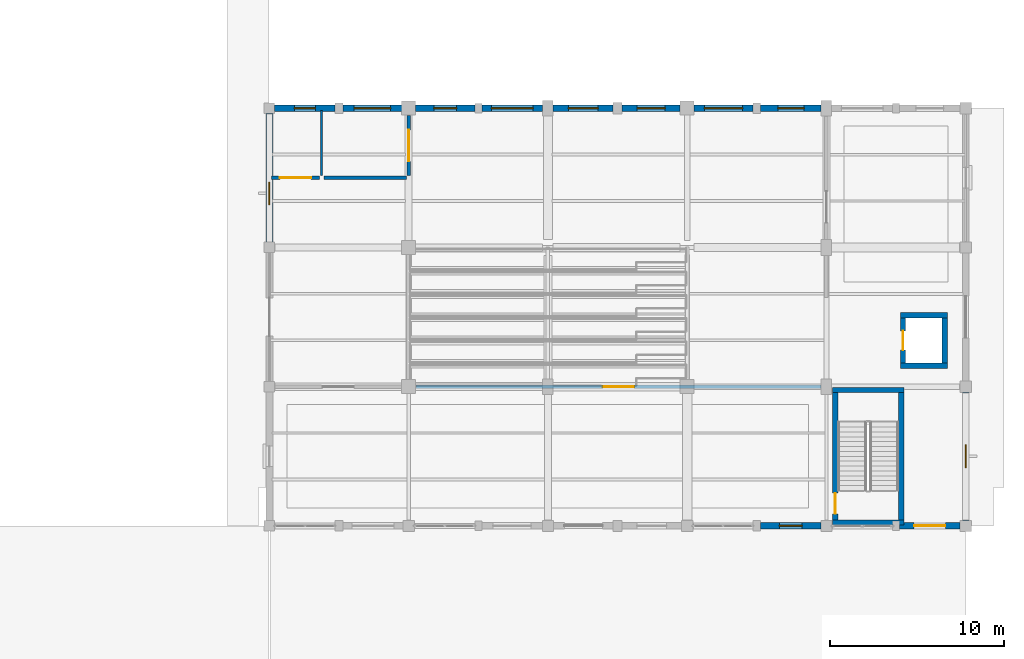
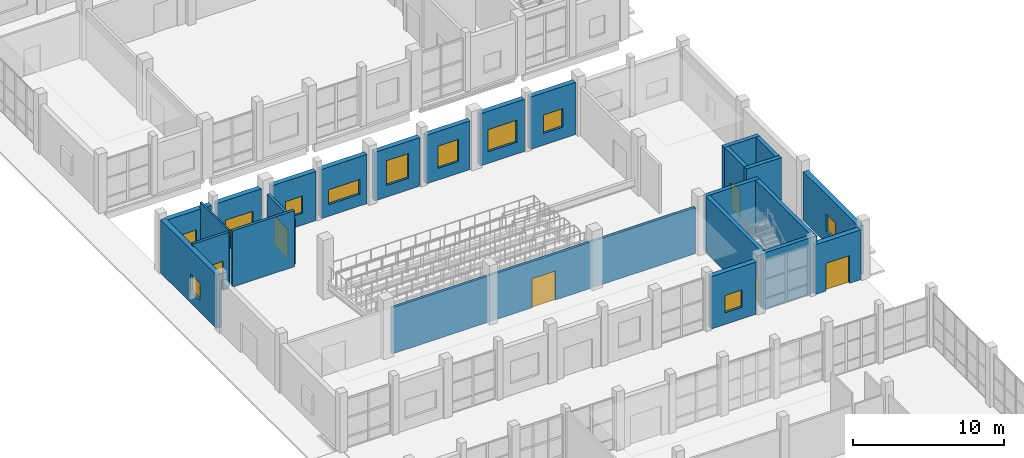
# One storey, part 129 of 156: 25 walls, 11 windows, 6 doors, 17 openings.
"""IFC4 building model written with IfcOpenShell, lengths in metres."""

from ifc_helpers import new_model, si_unit, direction, frame, frame_2d, origin, place, context, subcontext, project, spatial, rectangle, extrude, material, layer, layer_set, type_object, element, fill, save


model = new_model("IFC4")

# Units and contexts
model_context = context("Model", 3, precision=1e-05, world=origin(), true_north=direction((0.0, 1.0)))
body_context = subcontext(model_context, "Body", "Model", "MODEL_VIEW")
ifc_project = project(units=[si_unit("LENGTHUNIT", "METRE"), si_unit("AREAUNIT", "SQUARE_METRE"), si_unit("VOLUMEUNIT", "CUBIC_METRE"), si_unit("PLANEANGLEUNIT", "RADIAN"), si_unit("MASSUNIT", "GRAM", prefix="KILO")], contexts=[model_context])

# Site, building, storey
site_placement = place(None, origin())
site = spatial("IfcSite", under=ifc_project, at=site_placement, CompositionType="ELEMENT")
building_placement = place(site_placement, origin())
building = spatial("IfcBuilding", under=site, at=building_placement, Name="Luwemba Playhouse", CompositionType="ELEMENT")
storey_placement = place(building_placement, origin())
storey = spatial("IfcBuildingStorey", under=building, at=storey_placement, Name="L00", CompositionType="ELEMENT", Elevation=0.0)

# Wall, opening, window
ifc_material_1 = material(Name="Clay facing brick obra vista masonry", Category="masonry")
ifc_layer_1 = layer(ifc_material_1, 0.3798828125)
ifc_layer_set_1 = layer_set([ifc_layer_1], Name="Clay facing brick obra vista masonry")
wall_type_1 = type_object("IfcWallType", Name="WAL-BRK-380", PredefinedType="SOLIDWALL", material=ifc_layer_set_1)
wall_1_placement = place(storey_placement, frame((132.0, 52.300048828125, 0.0), z_axis=(0.0, 0.0, 1.0), x_axis=(0.0, 1.0, 0.0)))
wall_1 = element("IfcWall", 1, at=wall_1_placement, inside=storey, type_object=wall_type_1, Name="L00 V3 exterior facade wall 0030", PredefinedType="SOLIDWALL", context=body_context, shape_type="SweptSolid", body=[
    extrude(rectangle(XDim=7.39990234375, YDim=0.3798828125, at=frame_2d((3.699951171875, 0.0))), origin(), (0.0, 0.0, 1.0), 4.3349609375),
])
opening_1_placement = place(wall_1_placement, frame((2.14990234375, 0.0, 0.949951171875)))
opening_1 = element("IfcOpeningElement", 2, at=opening_1_placement, cuts=wall_1, Name="Opening WN-14", PredefinedType="OPENING", context=body_context, shape_type="SweptSolid", body=[
    extrude(rectangle(XDim=1.300048828125, YDim=1.39990234375, at=frame_2d((0.64990234375, 0.699951171875))), frame((0.0, 0.199951171875, 0.0), z_axis=(0.0, -1.0, 0.0), x_axis=(1.0, 0.0, 0.0)), (0.0, 0.0, 1.0), 0.39990234375),
])
ifc_material_2 = material(Name="Solar-control double glazing in aluminium frame", Category="aluminium")
window_type_1 = type_object("IfcWindowType", Name="WIN-WN-14", PartitioningType="SINGLE_PANEL", PredefinedType="WINDOW", material=ifc_material_2)
window_1_placement = place(opening_1_placement, origin())
window_1 = element("IfcWindow", 3, at=window_1_placement, inside=storey, type_object=window_type_1, Name="L00 V3 scheduled window 0014", OverallHeight=1.39990234375, OverallWidth=1.300048828125, PartitioningType="SINGLE_PANEL", PredefinedType="WINDOW", context=body_context, shape_type="SweptSolid", body=[
    extrude(rectangle(XDim=1.300048828125, YDim=1.39990234375, at=frame_2d((0.64990234375, 0.699951171875))), frame((0.0, 0.030029296875, 0.0), z_axis=(0.0, -1.0, 0.0), x_axis=(1.0, 0.0, 0.0)), (0.0, 0.0, 1.0), 0.06005859375),
])
fill(opening_1, window_1)

wall_2_placement = place(storey_placement, frame((132.300048828125, 60.0, 0.0), z_axis=(0.0, 0.0, 1.0), x_axis=(1.0, 0.0, 0.0)))
wall_2 = element("IfcWall", 4, at=wall_2_placement, inside=storey, type_object=wall_type_1, Name="L00 V3 exterior facade wall 0031", PredefinedType="SOLIDWALL", context=body_context, shape_type="SweptSolid", body=[
    extrude(rectangle(XDim=3.474853515625, YDim=0.3798828125, at=frame_2d((1.7373046875, 0.0))), origin(), (0.0, 0.0, 1.0), 4.034912109375),
])
opening_2_placement = place(wall_2_placement, frame((1.137451171875, 0.0, 0.949951171875)))
opening_2 = element("IfcOpeningElement", 5, at=opening_2_placement, cuts=wall_2, Name="Opening WN-08", PredefinedType="OPENING", context=body_context, shape_type="SweptSolid", body=[
    extrude(rectangle(XDim=1.199951171875, YDim=1.5, at=frame_2d((0.60009765625, 0.75))), frame((0.0, 0.199951171875, 0.0), z_axis=(0.0, -1.0, 0.0), x_axis=(1.0, 0.0, 0.0)), (0.0, 0.0, 1.0), 0.39990234375),
])
window_type_2 = type_object("IfcWindowType", Name="WIN-WN-08", PartitioningType="SINGLE_PANEL", PredefinedType="WINDOW", material=ifc_material_2)
window_2_placement = place(opening_2_placement, origin())
window_2 = element("IfcWindow", 6, at=window_2_placement, inside=storey, type_object=window_type_2, Name="L00 V3 scheduled window 0015", OverallHeight=1.5, OverallWidth=1.199951171875, PartitioningType="SINGLE_PANEL", PredefinedType="WINDOW", context=body_context, shape_type="SweptSolid", body=[
    extrude(rectangle(XDim=1.199951171875, YDim=1.5, at=frame_2d((0.60009765625, 0.75))), frame((0.0, 0.030029296875, 0.0), z_axis=(0.0, -1.0, 0.0), x_axis=(1.0, 0.0, 0.0)), (0.0, 0.0, 1.0), 0.06005859375),
])
fill(opening_2, window_2)

wall_3_placement = place(storey_placement, frame((136.22509765625, 60.0, 0.0), z_axis=(0.0, 0.0, 1.0), x_axis=(1.0, 0.0, 0.0)))
wall_3 = element("IfcWall", 7, at=wall_3_placement, inside=storey, type_object=wall_type_1, Name="L00 V3 exterior facade wall 0032", PredefinedType="SOLIDWALL", context=body_context, shape_type="SweptSolid", body=[
    extrude(rectangle(XDim=3.375, YDim=0.3798828125, at=frame_2d((1.6875, 0.0))), origin(), (0.0, 0.0, 1.0), 4.034912109375),
])
opening_3_placement = place(wall_3_placement, frame((0.637451171875, 0.0, 0.949951171875)))
opening_3 = element("IfcOpeningElement", 8, at=opening_3_placement, cuts=wall_3, Name="Opening WN-11", PredefinedType="OPENING", context=body_context, shape_type="SweptSolid", body=[
    extrude(rectangle(XDim=2.10009765625, YDim=1.5, at=frame_2d((1.050048828125, 0.75))), frame((0.0, 0.199951171875, 0.0), z_axis=(0.0, -1.0, 0.0), x_axis=(1.0, 0.0, 0.0)), (0.0, 0.0, 1.0), 0.39990234375),
])
window_type_3 = type_object("IfcWindowType", Name="WIN-WN-11", PartitioningType="TRIPLE_PANEL_VERTICAL", PredefinedType="WINDOW", material=ifc_material_2)
window_3_placement = place(opening_3_placement, origin())
window_3 = element("IfcWindow", 9, at=window_3_placement, inside=storey, type_object=window_type_3, Name="L00 V3 scheduled window 0016", OverallHeight=1.5, OverallWidth=2.10009765625, PartitioningType="TRIPLE_PANEL_VERTICAL", PredefinedType="WINDOW", context=body_context, shape_type="SweptSolid", body=[
    extrude(rectangle(XDim=2.10009765625, YDim=1.5, at=frame_2d((1.050048828125, 0.75))), frame((0.0, 0.030029296875, 0.0), z_axis=(0.0, -1.0, 0.0), x_axis=(1.0, 0.0, 0.0)), (0.0, 0.0, 1.0), 0.06005859375),
])
fill(opening_3, window_3)

wall_4_placement = place(storey_placement, frame((140.39990234375, 60.0, 0.0), z_axis=(0.0, 0.0, 1.0), x_axis=(1.0, 0.0, 0.0)))
wall_4 = element("IfcWall", 10, at=wall_4_placement, inside=storey, type_object=wall_type_1, Name="L00 V3 exterior facade wall 0033", PredefinedType="SOLIDWALL", context=body_context, shape_type="SweptSolid", body=[
    extrude(rectangle(XDim=3.400146484375, YDim=0.3798828125, at=frame_2d((1.7001953125, 0.0))), origin(), (0.0, 0.0, 1.0), 3.985107421875),
])
opening_4_placement = place(wall_4_placement, frame((1.050048828125, 0.0, 0.949951171875)))
opening_4 = element("IfcOpeningElement", 11, at=opening_4_placement, cuts=wall_4, Name="Opening WN-14", PredefinedType="OPENING", context=body_context, shape_type="SweptSolid", body=[
    extrude(rectangle(XDim=1.300048828125, YDim=1.39990234375, at=frame_2d((0.64990234375, 0.699951171875))), frame((0.0, 0.199951171875, 0.0), z_axis=(0.0, -1.0, 0.0), x_axis=(1.0, 0.0, 0.0)), (0.0, 0.0, 1.0), 0.39990234375),
])
window_4_placement = place(opening_4_placement, origin())
window_4 = element("IfcWindow", 12, at=window_4_placement, inside=storey, type_object=window_type_1, Name="L00 V3 scheduled window 0017", OverallHeight=1.39990234375, OverallWidth=1.300048828125, PartitioningType="SINGLE_PANEL", PredefinedType="WINDOW", context=body_context, shape_type="SweptSolid", body=[
    extrude(rectangle(XDim=1.300048828125, YDim=1.39990234375, at=frame_2d((0.64990234375, 0.699951171875))), frame((0.0, 0.030029296875, 0.0), z_axis=(0.0, -1.0, 0.0), x_axis=(1.0, 0.0, 0.0)), (0.0, 0.0, 1.0), 0.06005859375),
])
fill(opening_4, window_4)

wall_5_placement = place(storey_placement, frame((144.199951171875, 60.0, 0.0), z_axis=(0.0, 0.0, 1.0), x_axis=(1.0, 0.0, 0.0)))
wall_5 = element("IfcWall", 13, at=wall_5_placement, inside=storey, type_object=wall_type_1, Name="L00 V3 exterior facade wall 0034", PredefinedType="SOLIDWALL", context=body_context, shape_type="SweptSolid", body=[
    extrude(rectangle(XDim=3.5, YDim=0.3798828125, at=frame_2d((1.75, 0.0))), origin(), (0.0, 0.0, 1.0), 3.985107421875),
])
opening_5_placement = place(wall_5_placement, frame((0.550048828125, 0.0, 0.949951171875)))
opening_5 = element("IfcOpeningElement", 14, at=opening_5_placement, cuts=wall_5, Name="Opening WN-17", PredefinedType="OPENING", context=body_context, shape_type="SweptSolid", body=[
    extrude(rectangle(XDim=2.39990234375, YDim=1.199951171875, at=frame_2d((1.199951171875, 0.60009765625))), frame((0.0, 0.199951171875, 0.0), z_axis=(0.0, -1.0, 0.0), x_axis=(1.0, 0.0, 0.0)), (0.0, 0.0, 1.0), 0.39990234375),
])
window_type_4 = type_object("IfcWindowType", Name="WIN-WN-17", PartitioningType="TRIPLE_PANEL_HORIZONTAL", PredefinedType="WINDOW", material=ifc_material_2)
window_5_placement = place(opening_5_placement, origin())
window_5 = element("IfcWindow", 15, at=window_5_placement, inside=storey, type_object=window_type_4, Name="L00 V3 scheduled window 0018", OverallHeight=1.199951171875, OverallWidth=2.39990234375, PartitioningType="TRIPLE_PANEL_HORIZONTAL", PredefinedType="WINDOW", context=body_context, shape_type="SweptSolid", body=[
    extrude(rectangle(XDim=2.39990234375, YDim=1.199951171875, at=frame_2d((1.199951171875, 0.60009765625))), frame((0.0, 0.030029296875, 0.0), z_axis=(0.0, -1.0, 0.0), x_axis=(1.0, 0.0, 0.0)), (0.0, 0.0, 1.0), 0.06005859375),
])
fill(opening_5, window_5)

wall_6_placement = place(storey_placement, frame((148.300048828125, 60.0, 0.0), z_axis=(0.0, 0.0, 1.0), x_axis=(1.0, 0.0, 0.0)))
wall_6 = element("IfcWall", 16, at=wall_6_placement, inside=storey, type_object=wall_type_1, Name="L00 V3 exterior facade wall 0035", PredefinedType="SOLIDWALL", context=body_context, shape_type="SweptSolid", body=[
    extrude(rectangle(XDim=3.449951171875, YDim=0.3798828125, at=frame_2d((1.72509765625, 0.0))), origin(), (0.0, 0.0, 1.0), 3.93505859375),
])
opening_6_placement = place(wall_6_placement, frame((0.875, 0.0, 0.949951171875)))
opening_6 = element("IfcOpeningElement", 17, at=opening_6_placement, cuts=wall_6, Name="Opening WN-20", PredefinedType="OPENING", context=body_context, shape_type="SweptSolid", body=[
    extrude(rectangle(XDim=1.699951171875, YDim=2.0, at=frame_2d((0.85009765625, 1.0))), frame((0.0, 0.199951171875, 0.0), z_axis=(0.0, -1.0, 0.0), x_axis=(1.0, 0.0, 0.0)), (0.0, 0.0, 1.0), 0.39990234375),
])
window_type_5 = type_object("IfcWindowType", Name="WIN-WN-20", PartitioningType="DOUBLE_PANEL_VERTICAL", PredefinedType="WINDOW", material=ifc_material_2)
window_6_placement = place(opening_6_placement, origin())
window_6 = element("IfcWindow", 18, at=window_6_placement, inside=storey, type_object=window_type_5, Name="L00 V3 scheduled window 0019", OverallHeight=2.0, OverallWidth=1.699951171875, PartitioningType="DOUBLE_PANEL_VERTICAL", PredefinedType="WINDOW", context=body_context, shape_type="SweptSolid", body=[
    extrude(rectangle(XDim=1.699951171875, YDim=2.0, at=frame_2d((0.85009765625, 1.0))), frame((0.0, 0.030029296875, 0.0), z_axis=(0.0, -1.0, 0.0), x_axis=(1.0, 0.0, 0.0)), (0.0, 0.0, 1.0), 0.06005859375),
])
fill(opening_6, window_6)

wall_7_placement = place(storey_placement, frame((152.25, 60.0, 0.0), z_axis=(0.0, 0.0, 1.0), x_axis=(1.0, 0.0, 0.0)))
wall_7 = element("IfcWall", 19, at=wall_7_placement, inside=storey, type_object=wall_type_1, Name="L00 V3 exterior facade wall 0036", PredefinedType="SOLIDWALL", context=body_context, shape_type="SweptSolid", body=[
    extrude(rectangle(XDim=3.35009765625, YDim=0.3798828125, at=frame_2d((1.675048828125, 0.0))), origin(), (0.0, 0.0, 1.0), 3.93505859375),
])
opening_7_placement = place(wall_7_placement, frame((0.875, 0.0, 0.949951171875)))
opening_7 = element("IfcOpeningElement", 20, at=opening_7_placement, cuts=wall_7, Name="Opening WN-03", PredefinedType="OPENING", context=body_context, shape_type="SweptSolid", body=[
    extrude(rectangle(XDim=1.60009765625, YDim=1.800048828125, at=frame_2d((0.800048828125, 0.89990234375))), frame((0.0, 0.199951171875, 0.0), z_axis=(0.0, -1.0, 0.0), x_axis=(1.0, 0.0, 0.0)), (0.0, 0.0, 1.0), 0.39990234375),
])
window_type_6 = type_object("IfcWindowType", Name="WIN-WN-03", PartitioningType="DOUBLE_PANEL_VERTICAL", PredefinedType="WINDOW", material=ifc_material_2)
window_7_placement = place(opening_7_placement, origin())
window_7 = element("IfcWindow", 21, at=window_7_placement, inside=storey, type_object=window_type_6, Name="L00 V3 scheduled window 0020", OverallHeight=1.800048828125, OverallWidth=1.60009765625, PartitioningType="DOUBLE_PANEL_VERTICAL", PredefinedType="WINDOW", context=body_context, shape_type="SweptSolid", body=[
    extrude(rectangle(XDim=1.60009765625, YDim=1.800048828125, at=frame_2d((0.800048828125, 0.89990234375))), frame((0.0, 0.030029296875, 0.0), z_axis=(0.0, -1.0, 0.0), x_axis=(1.0, 0.0, 0.0)), (0.0, 0.0, 1.0), 0.06005859375),
])
fill(opening_7, window_7)

wall_8_placement = place(storey_placement, frame((156.39990234375, 60.0, 0.0), z_axis=(0.0, 0.0, 1.0), x_axis=(1.0, 0.0, 0.0)))
wall_8 = element("IfcWall", 22, at=wall_8_placement, inside=storey, type_object=wall_type_1, Name="L00 V3 exterior facade wall 0037", PredefinedType="SOLIDWALL", context=body_context, shape_type="SweptSolid", body=[
    extrude(rectangle(XDim=3.375, YDim=0.3798828125, at=frame_2d((1.6875, 0.0))), origin(), (0.0, 0.0, 1.0), 4.235107421875),
])
opening_8_placement = place(wall_8_placement, frame((0.58740234375, 0.0, 0.949951171875)))
opening_8 = element("IfcOpeningElement", 23, at=opening_8_placement, cuts=wall_8, Name="Opening WN-06", PredefinedType="OPENING", context=body_context, shape_type="SweptSolid", body=[
    extrude(rectangle(XDim=2.199951171875, YDim=1.800048828125, at=frame_2d((1.10009765625, 0.89990234375))), frame((0.0, 0.199951171875, 0.0), z_axis=(0.0, -1.0, 0.0), x_axis=(1.0, 0.0, 0.0)), (0.0, 0.0, 1.0), 0.39990234375),
])
window_type_7 = type_object("IfcWindowType", Name="WIN-WN-06", PartitioningType="TRIPLE_PANEL_VERTICAL", PredefinedType="WINDOW", material=ifc_material_2)
window_8_placement = place(opening_8_placement, origin())
window_8 = element("IfcWindow", 24, at=window_8_placement, inside=storey, type_object=window_type_7, Name="L00 V3 scheduled window 0021", OverallHeight=1.800048828125, OverallWidth=2.199951171875, PartitioningType="TRIPLE_PANEL_VERTICAL", PredefinedType="WINDOW", context=body_context, shape_type="SweptSolid", body=[
    extrude(rectangle(XDim=2.199951171875, YDim=1.800048828125, at=frame_2d((1.10009765625, 0.89990234375))), frame((0.0, 0.030029296875, 0.0), z_axis=(0.0, -1.0, 0.0), x_axis=(1.0, 0.0, 0.0)), (0.0, 0.0, 1.0), 0.06005859375),
])
fill(opening_8, window_8)

wall_9_placement = place(storey_placement, frame((160.22509765625, 60.0, 0.0), z_axis=(0.0, 0.0, 1.0), x_axis=(1.0, 0.0, 0.0)))
wall_9 = element("IfcWall", 25, at=wall_9_placement, inside=storey, type_object=wall_type_1, Name="L00 V3 exterior facade wall 0038", PredefinedType="SOLIDWALL", context=body_context, shape_type="SweptSolid", body=[
    extrude(rectangle(XDim=3.474853515625, YDim=0.3798828125, at=frame_2d((1.7373046875, 0.0))), origin(), (0.0, 0.0, 1.0), 4.235107421875),
])
opening_9_placement = place(wall_9_placement, frame((0.987548828125, 0.0, 0.949951171875)))
opening_9 = element("IfcOpeningElement", 26, at=opening_9_placement, cuts=wall_9, Name="Opening WN-09", PredefinedType="OPENING", context=body_context, shape_type="SweptSolid", body=[
    extrude(rectangle(XDim=1.5, YDim=1.5, at=frame_2d((0.75, 0.75))), frame((0.0, 0.199951171875, 0.0), z_axis=(0.0, -1.0, 0.0), x_axis=(1.0, 0.0, 0.0)), (0.0, 0.0, 1.0), 0.39990234375),
])
window_type_8 = type_object("IfcWindowType", Name="WIN-WN-09", PartitioningType="DOUBLE_PANEL_VERTICAL", PredefinedType="WINDOW", material=ifc_material_2)
window_9_placement = place(opening_9_placement, origin())
window_9 = element("IfcWindow", 27, at=window_9_placement, inside=storey, type_object=window_type_8, Name="L00 V3 scheduled window 0022", OverallHeight=1.5, OverallWidth=1.5, PartitioningType="DOUBLE_PANEL_VERTICAL", PredefinedType="WINDOW", context=body_context, shape_type="SweptSolid", body=[
    extrude(rectangle(XDim=1.5, YDim=1.5, at=frame_2d((0.75, 0.75))), frame((0.0, 0.030029296875, 0.0), z_axis=(0.0, -1.0, 0.0), x_axis=(1.0, 0.0, 0.0)), (0.0, 0.0, 1.0), 0.06005859375),
])
fill(opening_9, window_9)

wall_10_placement = place(storey_placement, frame((172.0, 43.675048828125, 0.0), z_axis=(0.0, 0.0, 1.0), x_axis=(0.0, -1.0, 0.0)))
wall_10 = element("IfcWall", 28, at=wall_10_placement, inside=storey, type_object=wall_type_1, Name="L00 V3 exterior facade wall 0043", PredefinedType="SOLIDWALL", context=body_context, shape_type="SweptSolid", body=[
    extrude(rectangle(XDim=7.35009765625, YDim=0.3798828125, at=frame_2d((3.675048828125, 0.0))), origin(), (0.0, 0.0, 1.0), 3.93505859375),
])
opening_10_placement = place(wall_10_placement, frame((3.02490234375, 0.0, 0.949951171875)))
opening_10 = element("IfcOpeningElement", 29, at=opening_10_placement, cuts=wall_10, Name="Opening WN-14", PredefinedType="OPENING", context=body_context, shape_type="SweptSolid", body=[
    extrude(rectangle(XDim=1.300048828125, YDim=1.39990234375, at=frame_2d((0.64990234375, 0.699951171875))), frame((0.0, 0.199951171875, 0.0), z_axis=(0.0, -1.0, 0.0), x_axis=(1.0, 0.0, 0.0)), (0.0, 0.0, 1.0), 0.39990234375),
])
window_10_placement = place(opening_10_placement, origin())
window_10 = element("IfcWindow", 30, at=window_10_placement, inside=storey, type_object=window_type_1, Name="L00 V3 scheduled window 0026", OverallHeight=1.39990234375, OverallWidth=1.300048828125, PartitioningType="SINGLE_PANEL", PredefinedType="WINDOW", context=body_context, shape_type="SweptSolid", body=[
    extrude(rectangle(XDim=1.300048828125, YDim=1.39990234375, at=frame_2d((0.64990234375, 0.699951171875))), frame((0.0, 0.030029296875, 0.0), z_axis=(0.0, -1.0, 0.0), x_axis=(1.0, 0.0, 0.0)), (0.0, 0.0, 1.0), 0.06005859375),
])
fill(opening_10, window_10)

# Wall, opening, door
wall_11_placement = place(storey_placement, frame((171.675048828125, 36.0, 0.0), z_axis=(0.0, 0.0, 1.0), x_axis=(-1.0, 0.0, 0.0)))
wall_11 = element("IfcWall", 31, at=wall_11_placement, inside=storey, type_object=wall_type_1, Name="L00 V3 exterior facade wall 0044", PredefinedType="SOLIDWALL", context=body_context, shape_type="SweptSolid", body=[
    extrude(rectangle(XDim=3.47509765625, YDim=0.3798828125, at=frame_2d((1.737548828125, 0.0))), origin(), (0.0, 0.0, 1.0), 4.034912109375),
])
opening_11_placement = place(wall_11_placement, frame((0.83740234375, 0.0, 0.0)))
opening_11 = element("IfcOpeningElement", 32, at=opening_11_placement, cuts=wall_11, Name="Opening E20", PredefinedType="OPENING", context=body_context, shape_type="SweptSolid", body=[
    extrude(rectangle(XDim=1.800048828125, YDim=2.25, at=frame_2d((0.89990234375, 1.125))), frame((0.0, 0.199951171875, 0.0), z_axis=(0.0, -1.0, 0.0), x_axis=(1.0, 0.0, 0.0)), (0.0, 0.0, 1.0), 0.39990234375),
])
ifc_material_3 = material(Name="Architectural bronze-anodised aluminium and glazed leaf", Category="aluminium")
door_type_1 = type_object("IfcDoorType", Name="DR-EXIT-180", OperationType="NOTDEFINED", PredefinedType="DOOR", material=ifc_material_3)
door_1_placement = place(opening_11_placement, origin())
door_1 = element("IfcDoor", 33, at=door_1_placement, inside=storey, type_object=door_type_1, Name="Stair ST-06 final exit discharge door", OperationType="DOUBLE_DOOR_SINGLE_SWING", OverallHeight=2.25, OverallWidth=1.800048828125, PredefinedType="DOOR", context=body_context, shape_type="SweptSolid", body=[
    extrude(rectangle(XDim=1.800048828125, YDim=2.25, at=frame_2d((0.89990234375, 1.125))), frame((0.0, 0.02490234375, 0.0), z_axis=(0.0, -1.0, 0.0), x_axis=(1.0, 0.0, 0.0)), (0.0, 0.0, 1.0), 0.050048828125),
])
fill(opening_11, door_1)

# Wall, opening, window
wall_12_placement = place(storey_placement, frame((163.675048828125, 36.0, 0.0), z_axis=(0.0, 0.0, 1.0), x_axis=(-1.0, 0.0, 0.0)))
wall_12 = element("IfcWall", 34, at=wall_12_placement, inside=storey, type_object=wall_type_1, Name="L00 V3 exterior facade wall 0045", PredefinedType="SOLIDWALL", context=body_context, shape_type="SweptSolid", body=[
    extrude(rectangle(XDim=3.449951171875, YDim=0.3798828125, at=frame_2d((1.72509765625, 0.0))), origin(), (0.0, 0.0, 1.0), 4.235107421875),
])
opening_12_placement = place(wall_12_placement, frame((1.074951171875, 0.0, 0.949951171875)))
opening_12 = element("IfcOpeningElement", 35, at=opening_12_placement, cuts=wall_12, Name="Opening WN-14", PredefinedType="OPENING", context=body_context, shape_type="SweptSolid", body=[
    extrude(rectangle(XDim=1.300048828125, YDim=1.39990234375, at=frame_2d((0.64990234375, 0.699951171875))), frame((0.0, 0.199951171875, 0.0), z_axis=(0.0, -1.0, 0.0), x_axis=(1.0, 0.0, 0.0)), (0.0, 0.0, 1.0), 0.39990234375),
])
window_11_placement = place(opening_12_placement, origin())
window_11 = element("IfcWindow", 36, at=window_11_placement, inside=storey, type_object=window_type_1, Name="L00 V3 scheduled window 0027", OverallHeight=1.39990234375, OverallWidth=1.300048828125, PartitioningType="SINGLE_PANEL", PredefinedType="WINDOW", context=body_context, shape_type="SweptSolid", body=[
    extrude(rectangle(XDim=1.300048828125, YDim=1.39990234375, at=frame_2d((0.64990234375, 0.699951171875))), frame((0.0, 0.030029296875, 0.0), z_axis=(0.0, -1.0, 0.0), x_axis=(1.0, 0.0, 0.0)), (0.0, 0.0, 1.0), 0.06005859375),
])
fill(opening_12, window_11)

# Walls
ifc_material_4 = material(Name="Concrete C40/50", Category="concrete")
ifc_layer_2 = layer(ifc_material_4, 0.300048828125)
ifc_layer_set_2 = layer_set([ifc_layer_2], Name="Concrete C40/50")
wall_type_2 = type_object("IfcWallType", Name="WAL-CORE-300", PredefinedType="SHEAR", material=ifc_layer_set_2)
for number, where, z_axis, x_axis, name in (
    (37, (164.35009765625, 36.18994140625, 0.0), (0.0, 0.0, 1.0), (1.0, 0.0, 0.0), "L00 ST-06 stair core wall S"),
    (38, (168.449951171875, 43.81005859375, 0.0), (0.0, 0.0, 1.0), (-1.0, 0.0, 0.0), "L00 ST-06 stair core wall N"),
):
    element("IfcWall", number, at=place(storey_placement, frame(where, z_axis=z_axis, x_axis=x_axis)), inside=storey, type_object=wall_type_2, Name=name, PredefinedType="SHEAR", context=body_context, shape_type="SweptSolid", body=[
        extrude(rectangle(XDim=4.099853515625, YDim=0.300048828125, at=frame_2d((2.0498046875, 0.0))), origin(), (0.0, 0.0, 1.0), 4.550048828125),
    ])

# Wall, opening, door
wall_13_placement = place(storey_placement, frame((164.5, 36.340087890625, 0.0), z_axis=(0.0, 0.0, 1.0), x_axis=(0.0, 1.0, 0.0)))
wall_13 = element("IfcWall", 39, at=wall_13_placement, inside=storey, type_object=wall_type_2, Name="L00 ST-06 stair core wall W", PredefinedType="SHEAR", context=body_context, shape_type="SweptSolid", body=[
    extrude(rectangle(XDim=7.31982421875, YDim=0.300048828125, at=frame_2d((3.659912109375, 0.0))), origin(), (0.0, 0.0, 1.0), 4.550048828125),
])
opening_13_placement = place(wall_13_placement, frame((0.35009765625, 0.0, 0.0)))
opening_13 = element("IfcOpeningElement", 40, at=opening_13_placement, cuts=wall_13, Name="Opening D-STAIR3", PredefinedType="OPENING", context=body_context, shape_type="SweptSolid", body=[
    extrude(rectangle(XDim=1.199951171875, YDim=2.14990234375, at=frame_2d((0.60009765625, 1.074951171875))), frame((0.0, 0.159912109375, 0.0), z_axis=(0.0, -1.0, 0.0), x_axis=(1.0, 0.0, 0.0)), (0.0, 0.0, 1.0), 0.320068359375),
])
ifc_material_5 = material(Name="Hardwood acoustic fire door leaf", Category="wood")
door_type_2 = type_object("IfcDoorType", Name="DR-STAIR-120", OperationType="NOTDEFINED", PredefinedType="DOOR", material=ifc_material_5)
door_2_placement = place(opening_13_placement, origin())
door_2 = element("IfcDoor", 41, at=door_2_placement, inside=storey, type_object=door_type_2, Name="L00 ST-06 protected stair entry door", OperationType="SINGLE_SWING_LEFT", OverallHeight=2.14990234375, OverallWidth=1.199951171875, PredefinedType="DOOR", context=body_context, shape_type="SweptSolid", body=[
    extrude(rectangle(XDim=1.199951171875, YDim=2.14990234375, at=frame_2d((0.60009765625, 1.074951171875))), frame((0.0, 0.02490234375, 0.0), z_axis=(0.0, -1.0, 0.0), x_axis=(1.0, 0.0, 0.0)), (0.0, 0.0, 1.0), 0.050048828125),
])
fill(opening_13, door_2)

# Walls
wall_14_placement = place(storey_placement, frame((168.300048828125, 43.659912109375, 0.0), z_axis=(0.0, 0.0, 1.0), x_axis=(0.0, -1.0, 0.0)))
element("IfcWall", 42, at=wall_14_placement, inside=storey, type_object=wall_type_2, Name="L00 ST-06 stair core wall E", PredefinedType="SHEAR", context=body_context, shape_type="SweptSolid", body=[
    extrude(rectangle(XDim=7.31982421875, YDim=0.300048828125, at=frame_2d((3.659912109375, 0.0))), origin(), (0.0, 0.0, 1.0), 4.550048828125),
])
for number, where, z_axis, x_axis, name in (
    (43, (168.25, 45.199951171875, 0.0), (0.0, 0.0, 1.0), (1.0, 0.0, 0.0), "L00 Lift LF-P3 shaft wall S"),
    (44, (170.949951171875, 48.10009765625, 0.0), (0.0, 0.0, 1.0), (-1.0, 0.0, 0.0), "L00 Lift LF-P3 shaft wall N"),
):
    element("IfcWall", number, at=place(storey_placement, frame(where, z_axis=z_axis, x_axis=x_axis)), inside=storey, type_object=wall_type_2, Name=name, PredefinedType="SHEAR", context=body_context, shape_type="SweptSolid", body=[
        extrude(rectangle(XDim=2.699951171875, YDim=0.300048828125, at=frame_2d((1.35009765625, 0.0))), origin(), (0.0, 0.0, 1.0), 4.550048828125),
    ])

# Wall, opening, door
wall_15_placement = place(storey_placement, frame((168.39990234375, 45.35009765625, 0.0), z_axis=(0.0, 0.0, 1.0), x_axis=(0.0, 1.0, 0.0)))
wall_15 = element("IfcWall", 45, at=wall_15_placement, inside=storey, type_object=wall_type_2, Name="L00 Lift LF-P3 shaft wall W", PredefinedType="SHEAR", context=body_context, shape_type="SweptSolid", body=[
    extrude(rectangle(XDim=2.599853515625, YDim=0.300048828125, at=frame_2d((1.2998046875, 0.0))), origin(), (0.0, 0.0, 1.0), 4.550048828125),
])
opening_14_placement = place(wall_15_placement, frame((0.75, 0.0, 0.0)))
opening_14 = element("IfcOpeningElement", 46, at=opening_14_placement, cuts=wall_15, Name="Opening LD-01", PredefinedType="OPENING", context=body_context, shape_type="SweptSolid", body=[
    extrude(rectangle(XDim=1.10009765625, YDim=2.14990234375, at=frame_2d((0.550048828125, 1.074951171875))), frame((0.0, 0.159912109375, 0.0), z_axis=(0.0, -1.0, 0.0), x_axis=(1.0, 0.0, 0.0)), (0.0, 0.0, 1.0), 0.320068359375),
])
ifc_material_6 = material(Name="Stainless steel lift landing doors", Category="steel")
door_type_3 = type_object("IfcDoorType", Name="DR-LIFT-110", OperationType="NOTDEFINED", PredefinedType="DOOR", material=ifc_material_6)
door_3_placement = place(opening_14_placement, origin())
door_3 = element("IfcDoor", 47, at=door_3_placement, inside=storey, type_object=door_type_3, Name="L00 Lift LF-P3 landing door", OperationType="DOUBLE_DOOR_SLIDING", OverallHeight=2.14990234375, OverallWidth=1.10009765625, PredefinedType="DOOR", context=body_context, shape_type="SweptSolid", body=[
    extrude(rectangle(XDim=1.10009765625, YDim=2.14990234375, at=frame_2d((0.550048828125, 1.074951171875))), frame((0.0, 0.02490234375, 0.0), z_axis=(0.0, -1.0, 0.0), x_axis=(1.0, 0.0, 0.0)), (0.0, 0.0, 1.0), 0.050048828125),
])
fill(opening_14, door_3)

# Walls
wall_16_placement = place(storey_placement, frame((170.800048828125, 47.949951171875, 0.0), z_axis=(0.0, 0.0, 1.0), x_axis=(0.0, -1.0, 0.0)))
element("IfcWall", 48, at=wall_16_placement, inside=storey, type_object=wall_type_2, Name="L00 Lift LF-P3 shaft wall E", PredefinedType="SHEAR", context=body_context, shape_type="SweptSolid", body=[
    extrude(rectangle(XDim=2.599853515625, YDim=0.300048828125, at=frame_2d((1.2998046875, 0.0))), origin(), (0.0, 0.0, 1.0), 4.550048828125),
])
ifc_material_7 = material(Name="Moisture-resistant sanitary partition", Category="gypsum")
ifc_layer_3 = layer(ifc_material_7, 0.1201171875)
ifc_layer_set_3 = layer_set([ifc_layer_3], Name="Moisture-resistant sanitary partition")
wall_type_3 = type_object("IfcWallType", Name="WAL-INT-120", PredefinedType="PARTITIONING", material=ifc_layer_set_3)
wall_17_placement = place(storey_placement, frame((135.0, 56.1201171875, 0.0), z_axis=(0.0, 0.0, 1.0), x_axis=(0.0, 1.0, 0.0)))
element("IfcWall", 49, at=wall_17_placement, inside=storey, type_object=wall_type_3, Name="L00 V3 interior partition 0080", PredefinedType="PARTITIONING", context=body_context, shape_type="SweptSolid", body=[
    extrude(rectangle(XDim=3.759765625, YDim=0.1201171875, at=frame_2d((1.8798828125, 0.0))), origin(), (0.0, 0.0, 1.0), 4.550048828125),
])

# Wall, opening, door
ifc_material_8 = material(Name="Clay acoustic masonry blockwork", Category="masonry")
ifc_layer_4 = layer(ifc_material_8, 0.199951171875)
ifc_layer_set_4 = layer_set([ifc_layer_4], Name="Clay acoustic masonry blockwork")
wall_type_4 = type_object("IfcWallType", Name="WAL-INT-200", PredefinedType="PARTITIONING", material=ifc_layer_set_4)
wall_18_placement = place(storey_placement, frame((140.419921875, 44.0, 0.0), z_axis=(0.0, 0.0, 1.0), x_axis=(1.0, 0.0, 0.0)))
wall_18 = element("IfcWall", 50, at=wall_18_placement, inside=storey, type_object=wall_type_4, Name="L00 V3 interior partition 0074", PredefinedType="PARTITIONING", context=body_context, shape_type="SweptSolid", body=[
    extrude(rectangle(XDim=23.260009765625, YDim=0.199951171875, at=frame_2d((11.6298828125, 0.0))), origin(), (0.0, 0.0, 1.0), 3.735107421875),
])
opening_15_placement = place(wall_18_placement, frame((10.72998046875, 0.0, 0.0)))
opening_15 = element("IfcOpeningElement", 51, at=opening_15_placement, cuts=wall_18, Name="Opening D-AUD1", PredefinedType="OPENING", context=body_context, shape_type="SweptSolid", body=[
    extrude(rectangle(XDim=1.800048828125, YDim=2.35009765625, at=frame_2d((0.89990234375, 1.175048828125))), frame((0.0, 0.10986328125, 0.0), z_axis=(0.0, -1.0, 0.0), x_axis=(1.0, 0.0, 0.0)), (0.0, 0.0, 1.0), 0.219970703125),
])
ifc_material_9 = material(Name="Double acoustic timber theatre door", Category="wood")
door_type_4 = type_object("IfcDoorType", Name="DR-AUD-180", OperationType="NOTDEFINED", PredefinedType="DOOR", material=ifc_material_9)
door_4_placement = place(opening_15_placement, origin())
door_4 = element("IfcDoor", 52, at=door_4_placement, inside=storey, type_object=door_type_4, Name="L00 Studio Theatre to Studio Cloister Foyer door", OperationType="DOUBLE_DOOR_SINGLE_SWING", OverallHeight=2.35009765625, OverallWidth=1.800048828125, PredefinedType="DOOR", context=body_context, shape_type="SweptSolid", body=[
    extrude(rectangle(XDim=1.800048828125, YDim=2.35009765625, at=frame_2d((0.89990234375, 1.175048828125))), frame((0.0, 0.02490234375, 0.0), z_axis=(0.0, -1.0, 0.0), x_axis=(1.0, 0.0, 0.0)), (0.0, 0.0, 1.0), 0.050048828125),
])
fill(opening_15, door_4)

wall_19_placement = place(storey_placement, frame((140.0, 56.1201171875, 0.0), z_axis=(0.0, 0.0, 1.0), x_axis=(0.0, 1.0, 0.0)))
wall_19 = element("IfcWall", 53, at=wall_19_placement, inside=storey, type_object=wall_type_4, Name="L00 V3 interior partition 0075", PredefinedType="PARTITIONING", context=body_context, shape_type="SweptSolid", body=[
    extrude(rectangle(XDim=3.4599609375, YDim=0.199951171875, at=frame_2d((1.72998046875, 0.0))), origin(), (0.0, 0.0, 1.0), 3.635009765625),
])
opening_16_placement = place(wall_19_placement, frame((0.830078125, 0.0, 0.0)))
opening_16 = element("IfcOpeningElement", 54, at=opening_16_placement, cuts=wall_19, Name="Opening D-AUD1", PredefinedType="OPENING", context=body_context, shape_type="SweptSolid", body=[
    extrude(rectangle(XDim=1.800048828125, YDim=2.35009765625, at=frame_2d((0.89990234375, 1.175048828125))), frame((0.0, 0.10986328125, 0.0), z_axis=(0.0, -1.0, 0.0), x_axis=(1.0, 0.0, 0.0)), (0.0, 0.0, 1.0), 0.219970703125),
])
door_5_placement = place(opening_16_placement, origin())
door_5 = element("IfcDoor", 55, at=door_5_placement, inside=storey, type_object=door_type_4, Name="L00 Studio Theatre to Studio Interval Public Toilets door", OperationType="DOUBLE_DOOR_SINGLE_SWING", OverallHeight=2.35009765625, OverallWidth=1.800048828125, PredefinedType="DOOR", context=body_context, shape_type="SweptSolid", body=[
    extrude(rectangle(XDim=1.800048828125, YDim=2.35009765625, at=frame_2d((0.89990234375, 1.175048828125))), frame((0.0, 0.02490234375, 0.0), z_axis=(0.0, -1.0, 0.0), x_axis=(1.0, 0.0, 0.0)), (0.0, 0.0, 1.0), 0.050048828125),
])
fill(opening_16, door_5)

wall_20_placement = place(storey_placement, frame((132.1201171875, 56.0, 0.0), z_axis=(0.0, 0.0, 1.0), x_axis=(1.0, 0.0, 0.0)))
wall_20 = element("IfcWall", 56, at=wall_20_placement, inside=storey, type_object=wall_type_4, Name="L00 V3 interior partition 0078", PredefinedType="PARTITIONING", context=body_context, shape_type="SweptSolid", body=[
    extrude(rectangle(XDim=2.759765625, YDim=0.199951171875, at=frame_2d((1.3798828125, 0.0))), origin(), (0.0, 0.0, 1.0), 4.550048828125),
])
opening_17_placement = place(wall_20_placement, frame((0.47998046875, 0.0, 0.0)))
opening_17 = element("IfcOpeningElement", 57, at=opening_17_placement, cuts=wall_20, Name="Opening D-AUD1", PredefinedType="OPENING", context=body_context, shape_type="SweptSolid", body=[
    extrude(rectangle(XDim=1.800048828125, YDim=2.35009765625, at=frame_2d((0.89990234375, 1.175048828125))), frame((0.0, 0.10986328125, 0.0), z_axis=(0.0, -1.0, 0.0), x_axis=(1.0, 0.0, 0.0)), (0.0, 0.0, 1.0), 0.219970703125),
])
door_6_placement = place(opening_17_placement, origin())
door_6 = element("IfcDoor", 58, at=door_6_placement, inside=storey, type_object=door_type_4, Name="L00 Studio Wing and Crossover to Studio Foyer Accessible WC door", OperationType="DOUBLE_DOOR_SINGLE_SWING", OverallHeight=2.35009765625, OverallWidth=1.800048828125, PredefinedType="DOOR", context=body_context, shape_type="SweptSolid", body=[
    extrude(rectangle(XDim=1.800048828125, YDim=2.35009765625, at=frame_2d((0.89990234375, 1.175048828125))), frame((0.0, 0.02490234375, 0.0), z_axis=(0.0, -1.0, 0.0), x_axis=(1.0, 0.0, 0.0)), (0.0, 0.0, 1.0), 0.050048828125),
])
fill(opening_17, door_6)

# Wall
wall_21_placement = place(storey_placement, frame((135.1201171875, 56.0, 0.0), z_axis=(0.0, 0.0, 1.0), x_axis=(1.0, 0.0, 0.0)))
element("IfcWall", 59, at=wall_21_placement, inside=storey, type_object=wall_type_4, Name="L00 V3 interior partition 0079", PredefinedType="PARTITIONING", context=body_context, shape_type="SweptSolid", body=[
    extrude(rectangle(XDim=4.759765625, YDim=0.199951171875, at=frame_2d((2.3798828125, 0.0))), origin(), (0.0, 0.0, 1.0), 4.550048828125),
])

save(model, "model.ifc")
